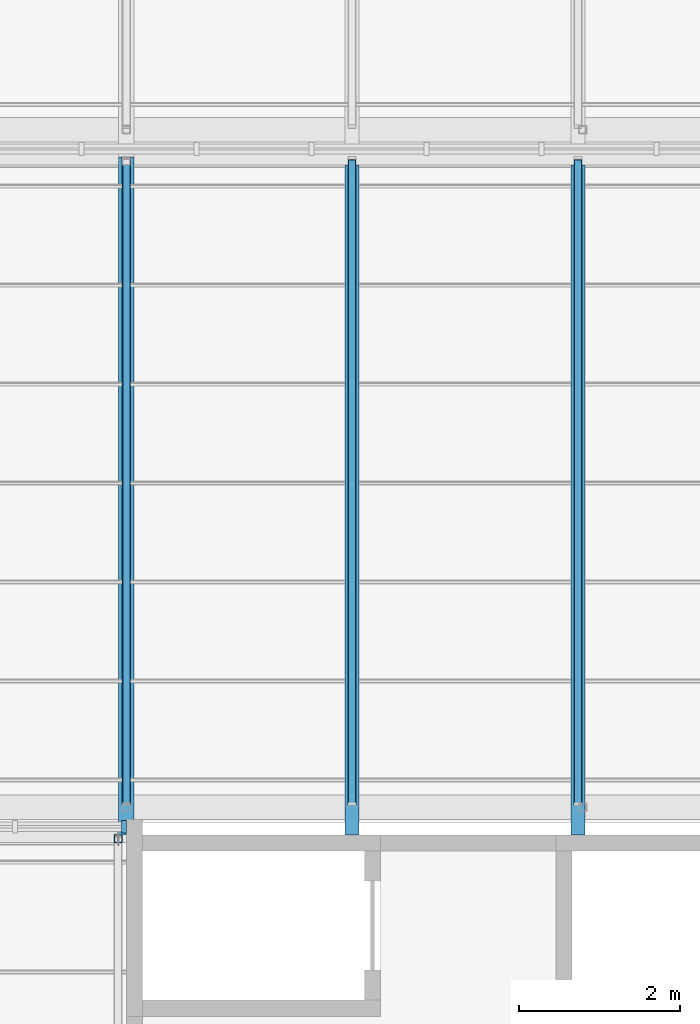
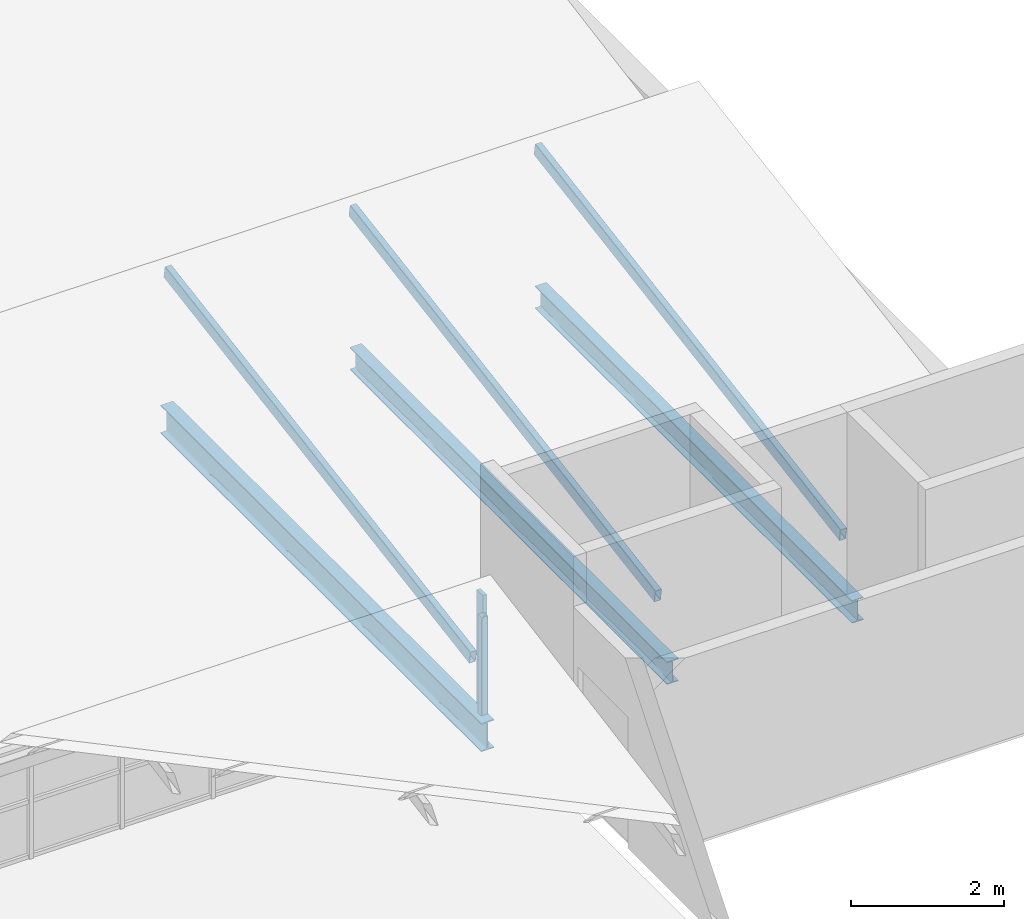
# One storey, part 6 of 33: 5 members, 3 beams, 1 element without a shape of its own.
"""IFC4 building model written with IfcOpenShell, lengths in metres."""

from ifc_helpers import new_model, si_unit, direction, frame, origin, origin_2d, place, context, subcontext, project, spatial, rectangle, hollow_rectangle, i_section, extrude, material, layer, layer_set, material_profile, profile_set, type_object, element, aggregate, save


model = new_model("IFC4")

# Units and contexts
model_context = context("Model", 3, precision=1e-05, world=origin(), true_north=direction((0.0, 1.0)))
body_context = subcontext(model_context, "Body", "Model", "MODEL_VIEW")
ifc_project = project(units=[si_unit("LENGTHUNIT", "METRE"), si_unit("AREAUNIT", "SQUARE_METRE"), si_unit("VOLUMEUNIT", "CUBIC_METRE"), si_unit("PLANEANGLEUNIT", "RADIAN"), si_unit("MASSUNIT", "GRAM", prefix="KILO")], contexts=[model_context])

# Site, building, storey
site_placement = place(None, origin())
site = spatial("IfcSite", under=ifc_project, at=site_placement, CompositionType="ELEMENT")
building_placement = place(site_placement, origin())
building = spatial("IfcBuilding", under=site, at=building_placement, Name="Ardhachandra Cancer Care Centre", CompositionType="ELEMENT")
storey_placement = place(building_placement, frame((0.0, 0.0, 27.0)))
storey = spatial("IfcBuildingStorey", under=building, at=storey_placement, Name="Roof", CompositionType="ELEMENT", Elevation=27.0)

# Beams
ifc_material_1 = material(Name="Steel E350 (IS 2062)", Category="steel")
ifc_material_profile_1 = material_profile(ifc_material_1, i_section(OverallWidth=0.172119140625, OverallDepth=0.364013671875, WebThickness=0.00927734375, FlangeThickness=0.0146484375, FilletRadius=0.01806640625, at=origin_2d()), Name="NPB 350x170x66.04")
ifc_profile_set_1 = profile_set([ifc_material_profile_1], Name="Steel E350 (IS 2062)")
beam_type_1 = type_object("IfcBeamType", Name="Beam NPB 350x170x66.04", PredefinedType="BEAM", material=ifc_profile_set_1)
for number, where, z_axis, x_axis, name in (
    (1, (139.60009765625, 88.199951171875, -0.382080078125), (0.0, 1.0, 0.0), (-1.0, 0.0, 0.0), "Secondary K16-L16@2800"),
    (2, (142.39990234375, 88.199951171875, -0.382080078125), (0.0, 1.0, 0.0), (-1.0, 0.0, 0.0), "Secondary K16-L16@5600"),
):
    element("IfcBeam", number, at=place(storey_placement, frame(where, z_axis=z_axis, x_axis=x_axis)), inside=storey, type_object=beam_type_1, Name=name, PredefinedType="BEAM", context=body_context, shape_type="SweptSolid", body=[
        extrude(i_section(OverallWidth=0.172119140625, OverallDepth=0.364013671875, WebThickness=0.00927734375, FlangeThickness=0.0146484375, FilletRadius=0.01806640625, at=origin_2d()), origin(), (0.0, 0.0, 1.0), 8.303955078125),
    ])
ifc_material_2 = material(Name="Steel E350 (IS 2062)", Category="steel")
ifc_material_profile_2 = material_profile(ifc_material_2, i_section(OverallWidth=0.19189453125, OverallDepth=0.4560546875, WebThickness=0.010986328125, FlangeThickness=0.017578125, FilletRadius=0.02099609375, at=origin_2d()), Name="NPB 450x190x92.36")
ifc_profile_set_2 = profile_set([ifc_material_profile_2], Name="Steel E350 (IS 2062)")
beam_type_2 = type_object("IfcBeamType", Name="Beam NPB 450x190x92.36", PredefinedType="BEAM", material=ifc_profile_set_2)
beam_placement = place(storey_placement, frame((136.800048828125, 88.199951171875, -0.427978515625), z_axis=(0.0, 1.0, 0.0), x_axis=(-1.0, 0.0, 0.0)))
element("IfcBeam", 3, at=beam_placement, inside=storey, type_object=beam_type_2, Name="Girder K16-L16", PredefinedType="BEAM", context=body_context, shape_type="SweptSolid", body=[
    extrude(i_section(OverallWidth=0.19189453125, OverallDepth=0.4560546875, WebThickness=0.010986328125, FlangeThickness=0.017578125, FilletRadius=0.02099609375, at=origin_2d()), origin(), (0.0, 0.0, 1.0), 8.400146484375),
])

# Curtain wall, member
ifc_material_3 = material(Name="Aluminium extrusion", Category="aluminium")
ifc_layer = layer(ifc_material_3, 0.14990234375)
ifc_layer_set = layer_set([ifc_layer], Name="Aluminium extrusion")
curtain_wall_type = type_object("IfcCurtainWallType", Name="Curtain wall run", PredefinedType="NOTDEFINED", material=ifc_layer_set)
curtain_wall_placement = place(storey_placement, origin())
curtain_wall = element("IfcCurtainWall", 4, at=curtain_wall_placement, inside=storey, type_object=curtain_wall_type, Name="Curtain wall Roof n/0112000_0088300", PredefinedType="NOTDEFINED")
ifc_material_4 = material(Name="Aluminium extrusion", Category="aluminium")
ifc_material_profile_3 = material_profile(ifc_material_4, rectangle(XDim=0.159912109375, YDim=0.06005859375, at=origin_2d()), Name="Curtain wall mullion 60 x 160")
ifc_profile_set_3 = profile_set([ifc_material_profile_3], Name="Aluminium extrusion")
member_type_1 = type_object("IfcMemberType", Name="Curtain wall mullion 60 x 160", PredefinedType="MULLION", material=ifc_profile_set_3)
member_1_placement = place(storey_placement, frame((136.77001953125, 88.300048828125, 0.0), z_axis=(0.0, 0.0, 1.0), x_axis=(0.0, 1.0, 0.0)))
member_1 = element("IfcMember", 5, at=member_1_placement, type_object=member_type_1, Name="CW mullion 19", PredefinedType="MULLION", context=body_context, shape_type="SweptSolid", body=[
    extrude(rectangle(XDim=0.159912109375, YDim=0.06005859375, at=origin_2d()), origin(), (0.0, 0.0, 1.0), 1.820068359375),
])
aggregate(curtain_wall, [member_1])

# Members
ifc_material_5 = material(Name="Steel E350 (IS 2062)", Category="steel")
ifc_material_profile_4 = material_profile(ifc_material_5, hollow_rectangle(XDim=0.10009765625, YDim=0.199951171875, WallThickness=0.006103515625, InnerFilletRadius=0.006103515625, OuterFilletRadius=0.011962890625, at=origin_2d()), Name="RHS 200x100x6.0")
ifc_profile_set_4 = profile_set([ifc_material_profile_4], Name="Steel E350 (IS 2062)")
member_type_2 = type_object("IfcMemberType", Name="Roof rafter RHS 200x100x6.0", PredefinedType="RAFTER", material=ifc_profile_set_4)
for number, where, z_axis, x_axis, name in (
    (6, (136.800048828125, 88.583740234375, 0.5986328125), (0.0, 0.986657936602, 0.162806990454), (-1.0, 0.0, 0.0), "Rafter ST2a.10"),
    (7, (139.60009765625, 88.583740234375, 0.5986328125), (0.0, 0.986657936602, 0.162806990454), (-1.0, 0.0, 0.0), "Rafter ST2a.11"),
    (8, (142.39990234375, 88.583740234375, 0.5986328125), (0.0, 0.986657936602, 0.162806990454), (-1.0, 0.0, 0.0), "Rafter ST2a.12"),
):
    element("IfcMember", number, at=place(storey_placement, frame(where, z_axis=z_axis, x_axis=x_axis)), inside=storey, type_object=member_type_2, Name=name, PredefinedType="RAFTER", context=body_context, shape_type="SweptSolid", body=[
        extrude(hollow_rectangle(XDim=0.10009765625, YDim=0.199951171875, WallThickness=0.006103515625, InnerFilletRadius=0.006103515625, OuterFilletRadius=0.011962890625, at=origin_2d()), origin(), (0.0, 0.0, 1.0), 8.108154296875),
    ])
ifc_material_6 = material(Name="Steel E350 (IS 2062)", Category="steel")
ifc_material_profile_5 = material_profile(ifc_material_6, hollow_rectangle(XDim=0.10009765625, YDim=0.10009765625, WallThickness=0.0048828125, InnerFilletRadius=0.0048828125, OuterFilletRadius=0.010009765625, at=origin_2d()), Name="SHS 100x100x5.0")
ifc_profile_set_5 = profile_set([ifc_material_profile_5], Name="Steel E350 (IS 2062)")
member_type_3 = type_object("IfcMemberType", Name="Sawtooth ridge post SHS 100x100x5.0", PredefinedType="POST", material=ifc_profile_set_5)
member_2_placement = place(storey_placement, frame((136.699951171875, 88.14990234375, 0.0), z_axis=(0.0, 0.0, 1.0), x_axis=(1.0, 0.0, 0.0)))
element("IfcMember", 9, at=member_2_placement, inside=storey, type_object=member_type_3, Name="Ridge post ST1a.4", PredefinedType="POST", context=body_context, shape_type="SweptSolid", body=[
    extrude(hollow_rectangle(XDim=0.10009765625, YDim=0.10009765625, WallThickness=0.0048828125, InnerFilletRadius=0.0048828125, OuterFilletRadius=0.010009765625, at=origin_2d()), origin(), (0.0, 0.0, 1.0), 1.569091796875),
])

save(model, "model.ifc")
